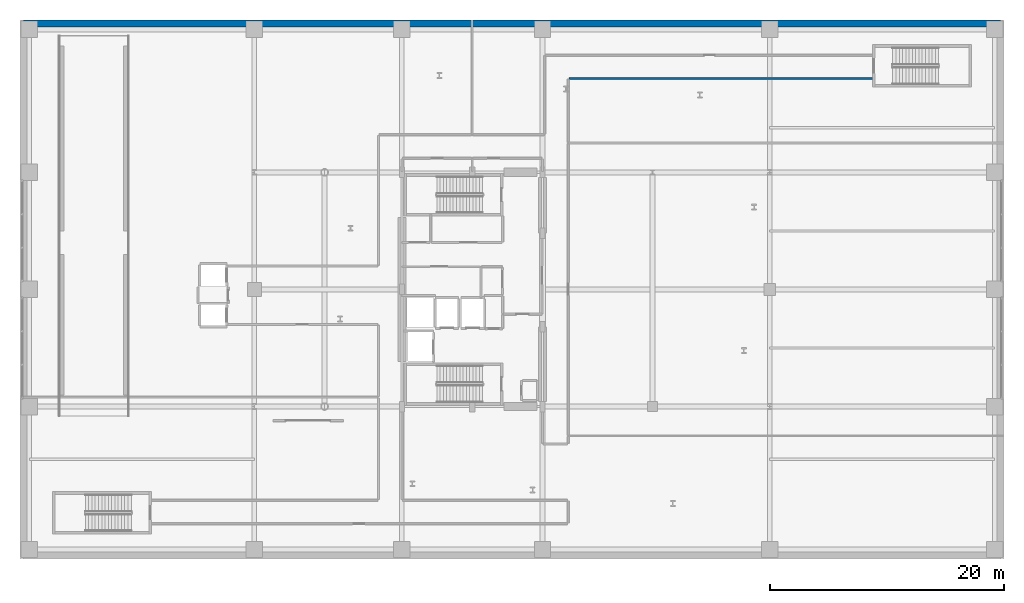
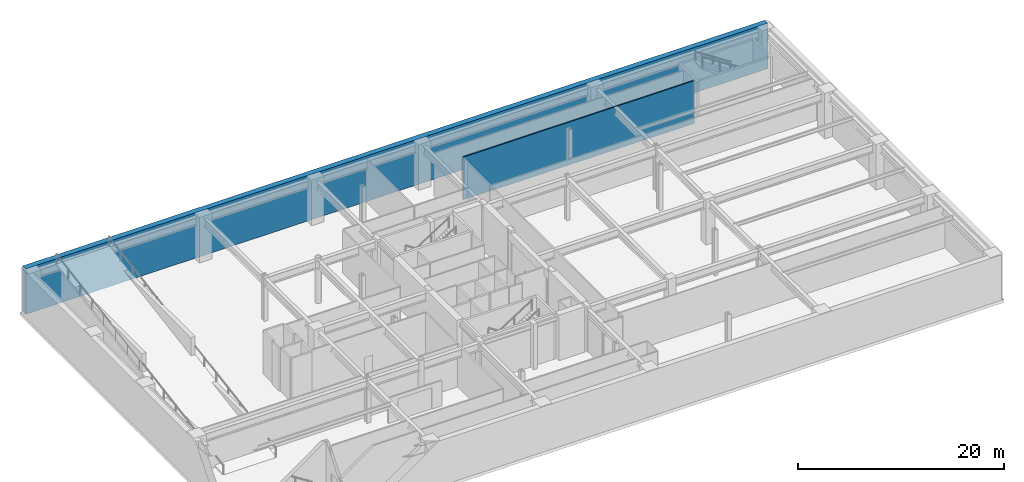
# One storey, part 19 of 25: 2 walls.
"""IFC4 building model written with IfcOpenShell, lengths in metres."""

from ifc_helpers import new_model, si_unit, direction, frame, frame_2d, origin, place, context, subcontext, project, spatial, rectangle, extrude, material, layer, layer_set, type_object, element, save


model = new_model("IFC4")

# Units and contexts
model_context = context("Model", 3, precision=1e-05, world=origin(), true_north=direction((0.0, 1.0)))
body_context = subcontext(model_context, "Body", "Model", "MODEL_VIEW")
ifc_project = project(units=[si_unit("LENGTHUNIT", "METRE"), si_unit("AREAUNIT", "SQUARE_METRE"), si_unit("VOLUMEUNIT", "CUBIC_METRE"), si_unit("PLANEANGLEUNIT", "RADIAN"), si_unit("MASSUNIT", "GRAM", prefix="KILO")], contexts=[model_context])

# Site, building, storey
site_placement = place(None, origin())
site = spatial("IfcSite", under=ifc_project, at=site_placement, CompositionType="ELEMENT")
building_placement = place(site_placement, origin())
building = spatial("IfcBuilding", under=site, at=building_placement, Name="Soratama Intermodal Tower", CompositionType="ELEMENT")
storey_placement = place(building_placement, frame((0.0, 0.0, -5.39990234375)))
storey = spatial("IfcBuildingStorey", under=building, at=storey_placement, Name="B1", CompositionType="ELEMENT", Elevation=-5.39990234375)

# Walls
ifc_material_1 = material(Name="Fire-rated gypsum stud partition", Category="concrete")
ifc_layer_1 = layer(ifc_material_1, 0.14990234375)
ifc_layer_set_1 = layer_set([ifc_layer_1], Name="Fire-rated gypsum stud partition")
wall_type_1 = type_object("IfcWallType", Name="IW-PART-R150", PredefinedType="PARTITIONING", material=ifc_layer_set_1)
wall_1_placement = place(storey_placement, frame((72.8798828125, 43.0, 0.0), z_axis=(0.0, 0.0, 1.0), x_axis=(-1.0, 0.0, 0.0)))
element("IfcWall", 1, at=wall_1_placement, inside=storey, type_object=wall_type_1, Name="B1 Partition W-B1-TP006", PredefinedType="PARTITIONING", context=body_context, shape_type="SweptSolid", body=[
    extrude(rectangle(XDim=26.009765625, YDim=0.14990234375, at=frame_2d((13.0048828125, 0.0))), origin(), (0.0, 0.0, 1.0), 5.079833984375),
])
ifc_material_2 = material(Name="Concrete f'c 42 MPa", Category="concrete")
ifc_layer_2 = layer(ifc_material_2, 0.60009765625)
ifc_layer_set_2 = layer_set([ifc_layer_2], Name="Concrete f'c 42 MPa")
wall_type_2 = type_object("IfcWallType", Name="RW-BSMT-600", PredefinedType="USERDEFINED", material=ifc_layer_set_2)
wall_2_placement = place(storey_placement, frame((83.699951171875, 47.699951171875, 0.0), z_axis=(0.0, 0.0, 1.0), x_axis=(-1.0, 0.0, 0.0)))
element("IfcWall", 2, at=wall_2_placement, inside=storey, type_object=wall_type_2, Name="B1 Retaining Wall N", ObjectType="RETAINING WALL", PredefinedType="USERDEFINED", context=body_context, shape_type="SweptSolid", body=[
    extrude(rectangle(XDim=83.39990234375, YDim=0.60009765625, at=frame_2d((41.699951171875, 0.0))), origin(), (0.0, 0.0, 1.0), 5.39990234375),
])

save(model, "model.ifc")
